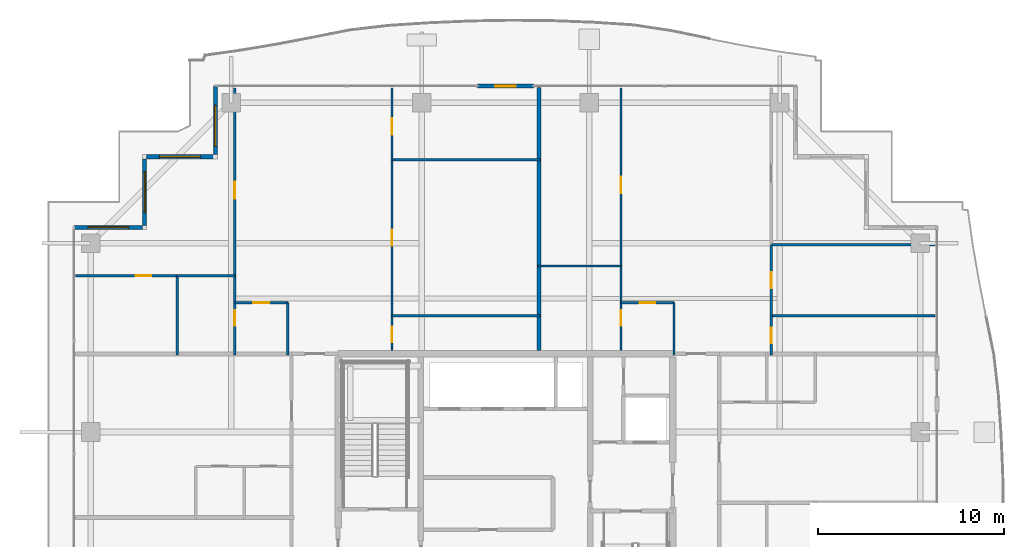
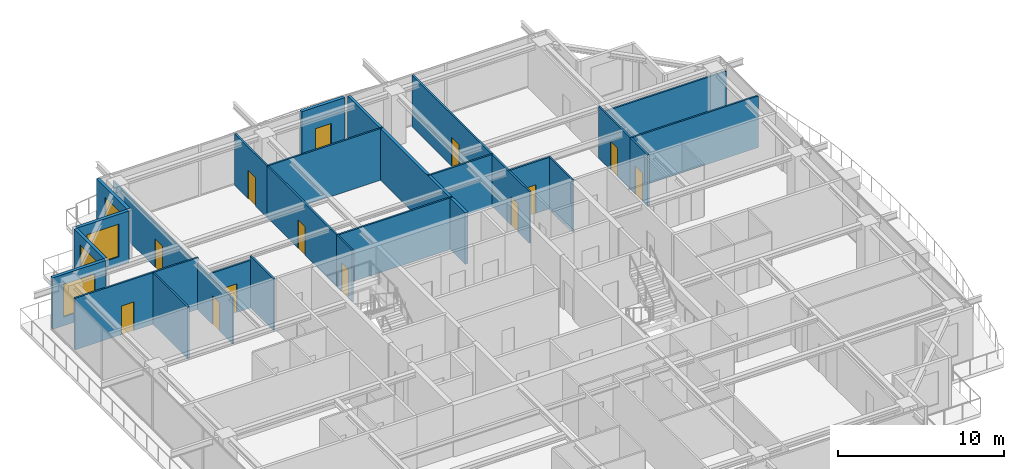
# One storey, part 31 of 39: 27 walls, 13 doors, 4 windows, 17 openings.
"""IFC4 building model written with IfcOpenShell, lengths in metres."""

from ifc_helpers import new_model, si_unit, direction, frame, frame_2d, origin, place, context, subcontext, project, spatial, rectangle, extrude, source, transform, mapped, material, layer, layer_set, type_object, element, fill, save


model = new_model("IFC4")

# Units and contexts
model_context = context("Model", 3, precision=1e-05, world=origin(), true_north=direction((0.0, 1.0)))
body_context = subcontext(model_context, "Body", "Model", "MODEL_VIEW")
ifc_project = project(units=[si_unit("LENGTHUNIT", "METRE"), si_unit("AREAUNIT", "SQUARE_METRE"), si_unit("VOLUMEUNIT", "CUBIC_METRE"), si_unit("PLANEANGLEUNIT", "RADIAN"), si_unit("MASSUNIT", "GRAM", prefix="KILO")], contexts=[model_context])

# Site, building, storey
site_placement = place(None, origin())
site = spatial("IfcSite", under=ifc_project, at=site_placement, CompositionType="ELEMENT")
building_placement = place(site_placement, origin())
building = spatial("IfcBuilding", under=site, at=building_placement, Name="Serunith Strait Residences", CompositionType="ELEMENT")
storey_placement = place(building_placement, frame((0.0, 0.0, 329.89990234375)))
storey = spatial("IfcBuildingStorey", under=building, at=storey_placement, Name="L82", CompositionType="ELEMENT", Elevation=329.89990234375)

# Wall, opening, door
ifc_material_1 = material(Name="Pale-Champagne Aluminium Insulated Panel", Category="aluminium")
ifc_layer_1 = layer(ifc_material_1, 0.219970703125, Name="Pale-Champagne Aluminium Insulated Panel")
ifc_layer_set_1 = layer_set([ifc_layer_1], Name="Pale-Champagne Aluminium Insulated Panel")
wall_type_1 = type_object("IfcWallType", Name="EW-ALUM-220", PredefinedType="ELEMENTEDWALL", material=ifc_layer_set_1)
wall_1_placement = place(storey_placement, frame((33.89990234375, 48.0, 0.0), z_axis=(0.0, 0.0, 1.0), x_axis=(-1.0, 0.0, 0.0)))
wall_1 = element("IfcWall", 1, at=wall_1_placement, inside=storey, type_object=wall_type_1, Name="L82 N Facade Pier Wall", PredefinedType="ELEMENTEDWALL", context=body_context, shape_type="SweptSolid", body=[
    extrude(rectangle(XDim=3.0, YDim=0.219970703125, at=frame_2d((1.5, 0.0))), origin(), (0.0, 0.0, 1.0), 3.775146484375),
])
opening_1_placement = place(wall_1_placement, frame((0.949951171875, 0.0, 0.0)))
opening_1 = element("IfcOpeningElement", 2, at=opening_1_placement, cuts=wall_1, Name="Opening ED-03", PredefinedType="OPENING", context=body_context, shape_type="SweptSolid", body=[
    extrude(rectangle(XDim=1.10009765625, YDim=2.199951171875, at=frame_2d((0.550048828125, 1.10009765625))), frame((0.0, 0.1201171875, 0.0), z_axis=(0.0, -1.0, 0.0), x_axis=(1.0, 0.0, 0.0)), (0.0, 0.0, 1.0), 0.239990234375),
])
ifc_material_2 = material(Name="Thermally-Broken Aluminium Glazed Balcony Door", Category="aluminium")
door_type_1 = type_object("IfcDoorType", Name="ED-BALC-1100", OperationType="NOTDEFINED", PredefinedType="DOOR", material=ifc_material_2)
shared_shape_1 = source(origin(), body_context, "Body", "SweptSolid", [
    extrude(rectangle(XDim=1.10009765625, YDim=2.199951171875, at=frame_2d((0.550048828125, 1.10009765625))), frame((0.0, 0.02490234375, 0.0), z_axis=(0.0, -1.0, 0.0), x_axis=(1.0, 0.0, 0.0)), (0.0, 0.0, 1.0), 0.050048828125),
])
door_1_placement = place(opening_1_placement, origin())
door_1 = element("IfcDoor", 3, at=door_1_placement, inside=storey, type_object=door_type_1, Name="L82 N Vertical-Forest Balcony Door", OperationType="SINGLE_SWING_RIGHT", OverallHeight=2.199951171875, OverallWidth=1.10009765625, PredefinedType="DOOR", context=body_context, shape_type="MappedRepresentation", body=[
    mapped(shared_shape_1, transform((0.0, 0.0, 0.0), scale=1.0)),
])
fill(opening_1, door_1)

# Wall, opening, window
wall_2_placement = place(storey_placement, frame((16.800048828125, 48.0, 0.0), z_axis=(0.0, 0.0, 1.0), x_axis=(0.0, -1.0, 0.0)))
wall_2 = element("IfcWall", 4, at=wall_2_placement, inside=storey, type_object=wall_type_1, Name="L82 Girih Serrated Corner Wall 12", PredefinedType="ELEMENTEDWALL", context=body_context, shape_type="SweptSolid", body=[
    extrude(rectangle(XDim=3.68994140625, YDim=0.219970703125, at=frame_2d((1.844970703125, 0.0))), origin(), (0.0, 0.0, 1.0), 3.775146484375),
])
opening_2_placement = place(wall_2_placement, frame((1.04296875, 0.0, 0.64990234375)))
opening_2 = element("IfcOpeningElement", 5, at=opening_2_placement, cuts=wall_2, Name="Opening W-06", PredefinedType="OPENING", context=body_context, shape_type="SweptSolid", body=[
    extrude(rectangle(XDim=2.199951171875, YDim=2.39990234375, at=frame_2d((1.10009765625, 1.199951171875))), frame((0.0, 0.1201171875, 0.0), z_axis=(0.0, -1.0, 0.0), x_axis=(1.0, 0.0, 0.0)), (0.0, 0.0, 1.0), 0.239990234375),
])
ifc_material_3 = material(Name="Crown Penthouse Low-E Operable Window Glass", Category="glass")
window_type = type_object("IfcWindowType", Name="WIN-C6", PartitioningType="TRIPLE_PANEL_VERTICAL", PredefinedType="WINDOW", material=ifc_material_3)
shared_shape_2 = source(origin(), body_context, "Body", "SweptSolid", [
    extrude(rectangle(XDim=2.199951171875, YDim=2.39990234375, at=frame_2d((1.10009765625, 1.199951171875))), frame((0.0, 0.030029296875, 0.0), z_axis=(0.0, -1.0, 0.0), x_axis=(1.0, 0.0, 0.0)), (0.0, 0.0, 1.0), 0.06005859375),
])
window_1_placement = place(opening_2_placement, origin())
window_1 = element("IfcWindow", 6, at=window_1_placement, inside=storey, type_object=window_type, Name="L82 Corner Operable Fritted Window 12", OverallHeight=2.39990234375, OverallWidth=2.199951171875, PartitioningType="SINGLE_PANEL", PredefinedType="WINDOW", context=body_context, shape_type="MappedRepresentation", body=[
    mapped(shared_shape_2, transform((0.0, 0.0, 0.0), scale=1.0)),
])
fill(opening_2, window_1)

wall_3_placement = place(storey_placement, frame((16.68994140625, 44.199951171875, 0.0), z_axis=(0.0, 0.0, 1.0), x_axis=(-1.0, 0.0, 0.0)))
wall_3 = element("IfcWall", 7, at=wall_3_placement, inside=storey, type_object=wall_type_1, Name="L82 Girih Serrated Corner Wall 13", PredefinedType="ELEMENTEDWALL", context=body_context, shape_type="SweptSolid", body=[
    extrude(rectangle(XDim=3.579833984375, YDim=0.219970703125, at=frame_2d((1.7900390625, 0.0))), origin(), (0.0, 0.0, 1.0), 3.775146484375),
])
opening_3_placement = place(wall_3_placement, frame((0.68994140625, 0.0, 0.64990234375)))
opening_3 = element("IfcOpeningElement", 8, at=opening_3_placement, cuts=wall_3, Name="Opening W-06", PredefinedType="OPENING", context=body_context, shape_type="SweptSolid", body=[
    extrude(rectangle(XDim=2.199951171875, YDim=2.39990234375, at=frame_2d((1.10009765625, 1.199951171875))), frame((0.0, 0.1201171875, 0.0), z_axis=(0.0, -1.0, 0.0), x_axis=(1.0, 0.0, 0.0)), (0.0, 0.0, 1.0), 0.239990234375),
])
window_2_placement = place(opening_3_placement, origin())
window_2 = element("IfcWindow", 9, at=window_2_placement, inside=storey, type_object=window_type, Name="L82 Corner Operable Fritted Window 13", OverallHeight=2.39990234375, OverallWidth=2.199951171875, PartitioningType="SINGLE_PANEL", PredefinedType="WINDOW", context=body_context, shape_type="MappedRepresentation", body=[
    mapped(shared_shape_2, transform((0.0, 0.0, 0.0), scale=1.0)),
])
fill(opening_3, window_2)

wall_4_placement = place(storey_placement, frame((13.0, 44.090087890625, 0.0), z_axis=(0.0, 0.0, 1.0), x_axis=(0.0, -1.0, 0.0)))
wall_4 = element("IfcWall", 10, at=wall_4_placement, inside=storey, type_object=wall_type_1, Name="L82 Girih Serrated Corner Wall 14", PredefinedType="ELEMENTEDWALL", context=body_context, shape_type="SweptSolid", body=[
    extrude(rectangle(XDim=3.580078125, YDim=0.219970703125, at=frame_2d((1.7900390625, 0.0))), origin(), (0.0, 0.0, 1.0), 3.775146484375),
])
opening_4_placement = place(wall_4_placement, frame((0.68994140625, 0.0, 0.64990234375)))
opening_4 = element("IfcOpeningElement", 11, at=opening_4_placement, cuts=wall_4, Name="Opening W-06", PredefinedType="OPENING", context=body_context, shape_type="SweptSolid", body=[
    extrude(rectangle(XDim=2.199951171875, YDim=2.39990234375, at=frame_2d((1.10009765625, 1.199951171875))), frame((0.0, 0.1201171875, 0.0), z_axis=(0.0, -1.0, 0.0), x_axis=(1.0, 0.0, 0.0)), (0.0, 0.0, 1.0), 0.239990234375),
])
window_3_placement = place(opening_4_placement, origin())
window_3 = element("IfcWindow", 12, at=window_3_placement, inside=storey, type_object=window_type, Name="L82 Corner Operable Fritted Window 14", OverallHeight=2.39990234375, OverallWidth=2.199951171875, PartitioningType="SINGLE_PANEL", PredefinedType="WINDOW", context=body_context, shape_type="MappedRepresentation", body=[
    mapped(shared_shape_2, transform((0.0, 0.0, 0.0), scale=1.0)),
])
fill(opening_4, window_3)

wall_5_placement = place(storey_placement, frame((12.889892578125, 40.39990234375, 0.0), z_axis=(0.0, 0.0, 1.0), x_axis=(-1.0, 0.0, 0.0)))
wall_5 = element("IfcWall", 13, at=wall_5_placement, inside=storey, type_object=wall_type_1, Name="L82 Girih Serrated Corner Wall 15", PredefinedType="ELEMENTEDWALL", context=body_context, shape_type="SweptSolid", body=[
    extrude(rectangle(XDim=3.68994140625, YDim=0.219970703125, at=frame_2d((1.844970703125, 0.0))), origin(), (0.0, 0.0, 1.0), 3.775146484375),
])
opening_5_placement = place(wall_5_placement, frame((0.7451171875, 0.0, 0.64990234375)))
opening_5 = element("IfcOpeningElement", 14, at=opening_5_placement, cuts=wall_5, Name="Opening W-06", PredefinedType="OPENING", context=body_context, shape_type="SweptSolid", body=[
    extrude(rectangle(XDim=2.199951171875, YDim=2.39990234375, at=frame_2d((1.10009765625, 1.199951171875))), frame((0.0, 0.1201171875, 0.0), z_axis=(0.0, -1.0, 0.0), x_axis=(1.0, 0.0, 0.0)), (0.0, 0.0, 1.0), 0.239990234375),
])
window_4_placement = place(opening_5_placement, origin())
window_4 = element("IfcWindow", 15, at=window_4_placement, inside=storey, type_object=window_type, Name="L82 Corner Operable Fritted Window 15", OverallHeight=2.39990234375, OverallWidth=2.199951171875, PartitioningType="SINGLE_PANEL", PredefinedType="WINDOW", context=body_context, shape_type="MappedRepresentation", body=[
    mapped(shared_shape_2, transform((0.0, 0.0, 0.0), scale=1.0)),
])
fill(opening_5, window_4)

# Wall, opening, door
ifc_material_4 = material(Name="Lightweight steel-stud gypsum partition", Category="steel")
ifc_layer_2 = layer(ifc_material_4, 0.1201171875, Name="Lightweight steel-stud gypsum partition")
ifc_layer_set_2 = layer_set([ifc_layer_2], Name="Lightweight steel-stud gypsum partition")
wall_type_2 = type_object("IfcWallType", Name="IW-PART-120", PredefinedType="PARTITIONING", material=ifc_layer_set_2)
wall_6_placement = place(storey_placement, frame((17.85009765625, 36.35009765625, 0.0), z_axis=(0.0, 0.0, 1.0), x_axis=(1.0, 0.0, 0.0)))
wall_6 = element("IfcWall", 16, at=wall_6_placement, inside=storey, type_object=wall_type_2, Name="L82 Partition Wall 053", PredefinedType="PARTITIONING", context=body_context, shape_type="SweptSolid", body=[
    extrude(rectangle(XDim=2.849853515625, YDim=0.1201171875, at=frame_2d((1.4248046875, 0.0))), origin(), (0.0, 0.0, 1.0), 3.4921875),
])
opening_6_placement = place(wall_6_placement, frame((1.0, 0.0, 0.0)))
opening_6 = element("IfcOpeningElement", 17, at=opening_6_placement, cuts=wall_6, Name="Opening D-RM850", PredefinedType="OPENING", context=body_context, shape_type="SweptSolid", body=[
    extrude(rectangle(XDim=0.85009765625, YDim=2.10009765625, at=frame_2d((0.425048828125, 1.050048828125))), frame((0.0, 0.070068359375, 0.0), z_axis=(0.0, -1.0, 0.0), x_axis=(1.0, 0.0, 0.0)), (0.0, 0.0, 1.0), 0.14013671875),
])
ifc_material_5 = material(Name="Engineered timber flush study and kitchen door", Category="wood")
door_type_2 = type_object("IfcDoorType", Name="ID-ROOM-850", OperationType="NOTDEFINED", PredefinedType="DOOR", material=ifc_material_5)
shared_shape_3 = source(origin(), body_context, "Body", "SweptSolid", [
    extrude(rectangle(XDim=0.85009765625, YDim=2.10009765625, at=frame_2d((0.425048828125, 1.050048828125))), frame((0.0, 0.02490234375, 0.0), z_axis=(0.0, -1.0, 0.0), x_axis=(1.0, 0.0, 0.0)), (0.0, 0.0, 1.0), 0.050048828125),
])
door_2_placement = place(opening_6_placement, origin())
door_2 = element("IfcDoor", 18, at=door_2_placement, inside=storey, type_object=door_type_2, Name="L82 Kitchen 8202 Door", OperationType="SINGLE_SWING_LEFT", OverallHeight=2.10009765625, OverallWidth=0.85009765625, PredefinedType="DOOR", context=body_context, shape_type="MappedRepresentation", body=[
    mapped(shared_shape_3, transform((0.0, 0.0, 0.0), scale=1.0)),
])
fill(opening_6, door_2)

# Wall
wall_7_placement = place(storey_placement, frame((20.699951171875, 36.35009765625, 0.0), z_axis=(0.0, 0.0, 1.0), x_axis=(0.0, -1.0, 0.0)))
element("IfcWall", 19, at=wall_7_placement, inside=storey, type_object=wall_type_2, Name="L82 Partition Wall 054", PredefinedType="PARTITIONING", context=body_context, shape_type="SweptSolid", body=[
    extrude(rectangle(XDim=2.81005859375, YDim=0.1201171875, at=frame_2d((1.405029296875, 0.0))), origin(), (0.0, 0.0, 1.0), 3.7900390625),
])

# Wall, opening, door
wall_8_placement = place(storey_placement, frame((17.85009765625, 47.905029296875, 0.0), z_axis=(0.0, 0.0, 1.0), x_axis=(0.0, -1.0, 0.0)))
wall_8 = element("IfcWall", 20, at=wall_8_placement, inside=storey, type_object=wall_type_2, Name="L82 Partition Wall 055", PredefinedType="PARTITIONING", context=body_context, shape_type="SweptSolid", body=[
    extrude(rectangle(XDim=10.09814453125, YDim=0.1201171875, at=frame_2d((5.049072265625, 0.0))), origin(), (0.0, 0.0, 1.0), 3.2919921875),
])
opening_7_placement = place(wall_8_placement, frame((5.05908203125, 0.0, 0.0)))
opening_7 = element("IfcOpeningElement", 21, at=opening_7_placement, cuts=wall_8, Name="Opening D-RM900", PredefinedType="OPENING", context=body_context, shape_type="SweptSolid", body=[
    extrude(rectangle(XDim=0.89990234375, YDim=2.10009765625, at=frame_2d((0.449951171875, 1.050048828125))), frame((0.0, 0.070068359375, 0.0), z_axis=(0.0, -1.0, 0.0), x_axis=(1.0, 0.0, 0.0)), (0.0, 0.0, 1.0), 0.14013671875),
])
ifc_material_6 = material(Name="Engineered timber flush bedroom door", Category="wood")
door_type_3 = type_object("IfcDoorType", Name="ID-ROOM-900", OperationType="NOTDEFINED", PredefinedType="DOOR", material=ifc_material_6)
shared_shape_4 = source(origin(), body_context, "Body", "SweptSolid", [
    extrude(rectangle(XDim=0.89990234375, YDim=2.10009765625, at=frame_2d((0.449951171875, 1.050048828125))), frame((0.0, 0.02490234375, 0.0), z_axis=(0.0, -1.0, 0.0), x_axis=(1.0, 0.0, 0.0)), (0.0, 0.0, 1.0), 0.050048828125),
])
door_3_placement = place(opening_7_placement, origin())
door_3 = element("IfcDoor", 22, at=door_3_placement, inside=storey, type_object=door_type_3, Name="L82 Master Bedroom 1 8202 Door", OperationType="SINGLE_SWING_RIGHT", OverallHeight=2.10009765625, OverallWidth=0.89990234375, PredefinedType="DOOR", context=body_context, shape_type="MappedRepresentation", body=[
    mapped(shared_shape_4, transform((0.0, 0.0, 0.0), scale=1.0)),
])
fill(opening_7, door_3)

wall_9_placement = place(storey_placement, frame((9.294921875, 37.806884765625, 0.0), z_axis=(0.0, 0.0, 1.0), x_axis=(1.0, 0.0, 0.0)))
wall_9 = element("IfcWall", 23, at=wall_9_placement, inside=storey, type_object=wall_type_2, Name="L82 Partition Wall 056", PredefinedType="PARTITIONING", context=body_context, shape_type="SweptSolid", body=[
    extrude(rectangle(XDim=5.455078125, YDim=0.1201171875, at=frame_2d((2.7275390625, 0.0))), origin(), (0.0, 0.0, 1.0), 3.7900390625),
])
opening_8_placement = place(wall_9_placement, frame((3.22412109375, 0.0, 0.0)))
opening_8 = element("IfcOpeningElement", 24, at=opening_8_placement, cuts=wall_9, Name="Opening D-RM850", PredefinedType="OPENING", context=body_context, shape_type="SweptSolid", body=[
    extrude(rectangle(XDim=0.85009765625, YDim=2.10009765625, at=frame_2d((0.425048828125, 1.050048828125))), frame((0.0, 0.070068359375, 0.0), z_axis=(0.0, -1.0, 0.0), x_axis=(1.0, 0.0, 0.0)), (0.0, 0.0, 1.0), 0.14013671875),
])
door_4_placement = place(opening_8_placement, origin())
door_4 = element("IfcDoor", 25, at=door_4_placement, inside=storey, type_object=door_type_2, Name="L82 Wardrobe 8202 Door", OperationType="SINGLE_SWING_LEFT", OverallHeight=2.10009765625, OverallWidth=0.85009765625, PredefinedType="DOOR", context=body_context, shape_type="MappedRepresentation", body=[
    mapped(shared_shape_3, transform((0.0, 0.0, 0.0), scale=1.0)),
])
fill(opening_8, door_4)

# Walls
wall_10_placement = place(storey_placement, frame((14.751953125, 37.806884765625, 0.0), z_axis=(0.0, 0.0, 1.0), x_axis=(1.0, 0.0, 0.0)))
element("IfcWall", 26, at=wall_10_placement, inside=storey, type_object=wall_type_2, Name="L82 Partition Wall 057", PredefinedType="PARTITIONING", context=body_context, shape_type="SweptSolid", body=[
    extrude(rectangle(XDim=3.09814453125, YDim=0.1201171875, at=frame_2d((1.549072265625, 0.0))), origin(), (0.0, 0.0, 1.0), 3.7900390625),
])
wall_11_placement = place(storey_placement, frame((14.75, 37.806884765625, 0.0), z_axis=(0.0, 0.0, 1.0), x_axis=(0.0, -1.0, 0.0)))
element("IfcWall", 27, at=wall_11_placement, inside=storey, type_object=wall_type_2, Name="L82 Partition Wall 058", PredefinedType="PARTITIONING", context=body_context, shape_type="SweptSolid", body=[
    extrude(rectangle(XDim=4.266845703125, YDim=0.1201171875, at=frame_2d((2.13330078125, 0.0))), origin(), (0.0, 0.0, 1.0), 3.7900390625),
])

# Wall, opening, door
wall_12_placement = place(storey_placement, frame((17.85009765625, 37.804931640625, 0.0), z_axis=(0.0, 0.0, 1.0), x_axis=(0.0, -1.0, 0.0)))
wall_12 = element("IfcWall", 28, at=wall_12_placement, inside=storey, type_object=wall_type_2, Name="L82 Partition Wall 059", PredefinedType="PARTITIONING", context=body_context, shape_type="SweptSolid", body=[
    extrude(rectangle(XDim=4.264892578125, YDim=0.1201171875, at=frame_2d((2.13232421875, 0.0))), origin(), (0.0, 0.0, 1.0), 3.3720703125),
])
opening_9_placement = place(wall_12_placement, frame((1.847900390625, 0.0, 0.0)))
opening_9 = element("IfcOpeningElement", 29, at=opening_9_placement, cuts=wall_12, Name="Opening D-BTH850", PredefinedType="OPENING", context=body_context, shape_type="SweptSolid", body=[
    extrude(rectangle(XDim=0.85009765625, YDim=2.10009765625, at=frame_2d((0.425048828125, 1.050048828125))), frame((0.0, 0.070068359375, 0.0), z_axis=(0.0, -1.0, 0.0), x_axis=(1.0, 0.0, 0.0)), (0.0, 0.0, 1.0), 0.14013671875),
])
ifc_material_7 = material(Name="Moisture-resistant timber bathroom door", Category="wood")
door_type_4 = type_object("IfcDoorType", Name="ID-BATH-850", OperationType="NOTDEFINED", PredefinedType="DOOR", material=ifc_material_7)
door_5_placement = place(opening_9_placement, origin())
door_5 = element("IfcDoor", 30, at=door_5_placement, inside=storey, type_object=door_type_4, Name="L82 Bathroom 8202 Door", OperationType="SINGLE_SWING_RIGHT", OverallHeight=2.10009765625, OverallWidth=0.85009765625, PredefinedType="DOOR", context=body_context, shape_type="MappedRepresentation", body=[
    mapped(shared_shape_3, transform((0.0, 0.0, 0.0), scale=1.0)),
])
fill(opening_9, door_5)

wall_13_placement = place(storey_placement, frame((26.300048828125, 47.905029296875, 0.0), z_axis=(0.0, 0.0, 1.0), x_axis=(0.0, -1.0, 0.0)))
wall_13 = element("IfcWall", 31, at=wall_13_placement, inside=storey, type_object=wall_type_2, Name="L82 Partition Wall 060", PredefinedType="PARTITIONING", context=body_context, shape_type="SweptSolid", body=[
    extrude(rectangle(XDim=3.866943359375, YDim=0.1201171875, at=frame_2d((1.93359375, 0.0))), origin(), (0.0, 0.0, 1.0), 3.7900390625),
])
opening_10_placement = place(wall_13_placement, frame((1.632080078125, 0.0, 0.0)))
opening_10 = element("IfcOpeningElement", 32, at=opening_10_placement, cuts=wall_13, Name="Opening D-RM900", PredefinedType="OPENING", context=body_context, shape_type="SweptSolid", body=[
    extrude(rectangle(XDim=0.89990234375, YDim=2.10009765625, at=frame_2d((0.449951171875, 1.050048828125))), frame((0.0, 0.070068359375, 0.0), z_axis=(0.0, -1.0, 0.0), x_axis=(1.0, 0.0, 0.0)), (0.0, 0.0, 1.0), 0.14013671875),
])
door_6_placement = place(opening_10_placement, origin())
door_6 = element("IfcDoor", 33, at=door_6_placement, inside=storey, type_object=door_type_3, Name="L82 Bedroom 2 8202 Door", OperationType="SINGLE_SWING_LEFT", OverallHeight=2.10009765625, OverallWidth=0.89990234375, PredefinedType="DOOR", context=body_context, shape_type="MappedRepresentation", body=[
    mapped(shared_shape_4, transform((0.0, 0.0, 0.0), scale=1.0)),
])
fill(opening_10, door_6)

# Walls
for number, where, z_axis, x_axis, name in (
    (34, (26.300048828125, 44.0380859375, 0.0), (0.0, 0.0, 1.0), (1.0, 0.0, 0.0), "L82 Partition Wall 061"),
    (35, (26.300048828125, 35.64990234375, 0.0), (0.0, 0.0, 1.0), (1.0, 0.0, 0.0), "L82 Partition Wall 062"),
):
    element("IfcWall", number, at=place(storey_placement, frame(where, z_axis=z_axis, x_axis=x_axis)), inside=storey, type_object=wall_type_2, Name=name, PredefinedType="PARTITIONING", context=body_context, shape_type="SweptSolid", body=[
        extrude(rectangle(XDim=7.9599609375, YDim=0.1201171875, at=frame_2d((3.97998046875, 0.0))), origin(), (0.0, 0.0, 1.0), 3.7900390625),
    ])

# Wall, opening, door
wall_14_placement = place(storey_placement, frame((26.300048828125, 44.035888671875, 0.0), z_axis=(0.0, 0.0, 1.0), x_axis=(0.0, -1.0, 0.0)))
wall_14 = element("IfcWall", 36, at=wall_14_placement, inside=storey, type_object=wall_type_2, Name="L82 Partition Wall 063", PredefinedType="PARTITIONING", context=body_context, shape_type="SweptSolid", body=[
    extrude(rectangle(XDim=8.385986328125, YDim=0.1201171875, at=frame_2d((4.19287109375, 0.0))), origin(), (0.0, 0.0, 1.0), 3.7900390625),
])
opening_11_placement = place(wall_14_placement, frame((3.76806640625, 0.0, 0.0)))
opening_11 = element("IfcOpeningElement", 37, at=opening_11_placement, cuts=wall_14, Name="Opening D-RM850", PredefinedType="OPENING", context=body_context, shape_type="SweptSolid", body=[
    extrude(rectangle(XDim=0.85009765625, YDim=2.10009765625, at=frame_2d((0.425048828125, 1.050048828125))), frame((0.0, 0.070068359375, 0.0), z_axis=(0.0, -1.0, 0.0), x_axis=(1.0, 0.0, 0.0)), (0.0, 0.0, 1.0), 0.14013671875),
])
door_7_placement = place(opening_11_placement, origin())
door_7 = element("IfcDoor", 38, at=door_7_placement, inside=storey, type_object=door_type_2, Name="L82 Walk-in Wardrobe 8202 Door", OperationType="SINGLE_SWING_RIGHT", OverallHeight=2.10009765625, OverallWidth=0.85009765625, PredefinedType="DOOR", context=body_context, shape_type="MappedRepresentation", body=[
    mapped(shared_shape_3, transform((0.0, 0.0, 0.0), scale=1.0)),
])
fill(opening_11, door_7)

wall_15_placement = place(storey_placement, frame((26.300048828125, 35.64794921875, 0.0), z_axis=(0.0, 0.0, 1.0), x_axis=(0.0, -1.0, 0.0)))
wall_15 = element("IfcWall", 39, at=wall_15_placement, inside=storey, type_object=wall_type_2, Name="L82 Partition Wall 064", PredefinedType="PARTITIONING", context=body_context, shape_type="SweptSolid", body=[
    extrude(rectangle(XDim=1.873046875, YDim=0.1201171875, at=frame_2d((0.9365234375, 0.0))), origin(), (0.0, 0.0, 1.0), 3.7900390625),
])
opening_12_placement = place(wall_15_placement, frame((0.574951171875, 0.0, 0.0)))
opening_12 = element("IfcOpeningElement", 40, at=opening_12_placement, cuts=wall_15, Name="Opening D-BTH850", PredefinedType="OPENING", context=body_context, shape_type="SweptSolid", body=[
    extrude(rectangle(XDim=0.85009765625, YDim=2.10009765625, at=frame_2d((0.425048828125, 1.050048828125))), frame((0.0, 0.070068359375, 0.0), z_axis=(0.0, -1.0, 0.0), x_axis=(1.0, 0.0, 0.0)), (0.0, 0.0, 1.0), 0.14013671875),
])
door_8_placement = place(opening_12_placement, origin())
door_8 = element("IfcDoor", 41, at=door_8_placement, inside=storey, type_object=door_type_4, Name="L82 Bathroom 8202 Door", OperationType="SINGLE_SWING_LEFT", OverallHeight=2.10009765625, OverallWidth=0.85009765625, PredefinedType="DOOR", context=body_context, shape_type="MappedRepresentation", body=[
    mapped(shared_shape_3, transform((0.0, 0.0, 0.0), scale=1.0)),
])
fill(opening_12, door_8)

wall_16_placement = place(storey_placement, frame((38.610107421875, 36.35009765625, 0.0), z_axis=(0.0, 0.0, 1.0), x_axis=(1.0, 0.0, 0.0)))
wall_16 = element("IfcWall", 42, at=wall_16_placement, inside=storey, type_object=wall_type_2, Name="L82 Partition Wall 065", PredefinedType="PARTITIONING", context=body_context, shape_type="SweptSolid", body=[
    extrude(rectangle(XDim=2.849853515625, YDim=0.1201171875, at=frame_2d((1.4248046875, 0.0))), origin(), (0.0, 0.0, 1.0), 3.7900390625),
])
opening_13_placement = place(wall_16_placement, frame((1.0, 0.0, 0.0)))
opening_13 = element("IfcOpeningElement", 43, at=opening_13_placement, cuts=wall_16, Name="Opening D-RM850", PredefinedType="OPENING", context=body_context, shape_type="SweptSolid", body=[
    extrude(rectangle(XDim=0.85009765625, YDim=2.10009765625, at=frame_2d((0.425048828125, 1.050048828125))), frame((0.0, 0.070068359375, 0.0), z_axis=(0.0, -1.0, 0.0), x_axis=(1.0, 0.0, 0.0)), (0.0, 0.0, 1.0), 0.14013671875),
])
door_9_placement = place(opening_13_placement, origin())
door_9 = element("IfcDoor", 44, at=door_9_placement, inside=storey, type_object=door_type_2, Name="L82 Kitchen 8203 Door", OperationType="SINGLE_SWING_RIGHT", OverallHeight=2.10009765625, OverallWidth=0.85009765625, PredefinedType="DOOR", context=body_context, shape_type="MappedRepresentation", body=[
    mapped(shared_shape_3, transform((0.0, 0.0, 0.0), scale=1.0)),
])
fill(opening_13, door_9)

# Wall
wall_17_placement = place(storey_placement, frame((41.4599609375, 36.35009765625, 0.0), z_axis=(0.0, 0.0, 1.0), x_axis=(0.0, -1.0, 0.0)))
element("IfcWall", 45, at=wall_17_placement, inside=storey, type_object=wall_type_2, Name="L82 Partition Wall 066", PredefinedType="PARTITIONING", context=body_context, shape_type="SweptSolid", body=[
    extrude(rectangle(XDim=2.81005859375, YDim=0.1201171875, at=frame_2d((1.405029296875, 0.0))), origin(), (0.0, 0.0, 1.0), 3.7900390625),
])

# Wall, opening, door
wall_18_placement = place(storey_placement, frame((38.610107421875, 47.905029296875, 0.0), z_axis=(0.0, 0.0, 1.0), x_axis=(0.0, -1.0, 0.0)))
wall_18 = element("IfcWall", 46, at=wall_18_placement, inside=storey, type_object=wall_type_2, Name="L82 Partition Wall 067", PredefinedType="PARTITIONING", context=body_context, shape_type="SweptSolid", body=[
    extrude(rectangle(XDim=9.5791015625, YDim=0.1201171875, at=frame_2d((4.78955078125, 0.0))), origin(), (0.0, 0.0, 1.0), 3.7900390625),
])
opening_14_placement = place(wall_18_placement, frame((4.77294921875, 0.0, 0.0)))
opening_14 = element("IfcOpeningElement", 47, at=opening_14_placement, cuts=wall_18, Name="Opening D-RM900", PredefinedType="OPENING", context=body_context, shape_type="SweptSolid", body=[
    extrude(rectangle(XDim=0.89990234375, YDim=2.10009765625, at=frame_2d((0.449951171875, 1.050048828125))), frame((0.0, 0.070068359375, 0.0), z_axis=(0.0, -1.0, 0.0), x_axis=(1.0, 0.0, 0.0)), (0.0, 0.0, 1.0), 0.14013671875),
])
door_10_placement = place(opening_14_placement, origin())
door_10 = element("IfcDoor", 48, at=door_10_placement, inside=storey, type_object=door_type_3, Name="L82 Master Bedroom 1 8203 Door", OperationType="SINGLE_SWING_LEFT", OverallHeight=2.10009765625, OverallWidth=0.89990234375, PredefinedType="DOOR", context=body_context, shape_type="MappedRepresentation", body=[
    mapped(shared_shape_4, transform((0.0, 0.0, 0.0), scale=1.0)),
])
fill(opening_14, door_10)

# Wall
wall_19_placement = place(storey_placement, frame((34.139892578125, 38.325927734375, 0.0), z_axis=(0.0, 0.0, 1.0), x_axis=(1.0, 0.0, 0.0)))
element("IfcWall", 49, at=wall_19_placement, inside=storey, type_object=wall_type_2, Name="L82 Partition Wall 068", PredefinedType="PARTITIONING", context=body_context, shape_type="SweptSolid", body=[
    extrude(rectangle(XDim=4.47021484375, YDim=0.1201171875, at=frame_2d((2.235107421875, 0.0))), origin(), (0.0, 0.0, 1.0), 3.7900390625),
])

# Wall, opening, door
wall_20_placement = place(storey_placement, frame((38.610107421875, 38.323974609375, 0.0), z_axis=(0.0, 0.0, 1.0), x_axis=(0.0, -1.0, 0.0)))
wall_20 = element("IfcWall", 50, at=wall_20_placement, inside=storey, type_object=wall_type_2, Name="L82 Partition Wall 069", PredefinedType="PARTITIONING", context=body_context, shape_type="SweptSolid", body=[
    extrude(rectangle(XDim=4.549072265625, YDim=0.1201171875, at=frame_2d((2.2744140625, 0.0))), origin(), (0.0, 0.0, 1.0), 3.7900390625),
])
opening_15_placement = place(wall_20_placement, frame((2.364013671875, 0.0, 0.0)))
opening_15 = element("IfcOpeningElement", 51, at=opening_15_placement, cuts=wall_20, Name="Opening D-RM850", PredefinedType="OPENING", context=body_context, shape_type="SweptSolid", body=[
    extrude(rectangle(XDim=0.85009765625, YDim=2.10009765625, at=frame_2d((0.425048828125, 1.050048828125))), frame((0.0, 0.070068359375, 0.0), z_axis=(0.0, -1.0, 0.0), x_axis=(1.0, 0.0, 0.0)), (0.0, 0.0, 1.0), 0.14013671875),
])
door_11_placement = place(opening_15_placement, origin())
door_11 = element("IfcDoor", 52, at=door_11_placement, inside=storey, type_object=door_type_2, Name="L82 Walk-in Wardrobe 8203 Door", OperationType="SINGLE_SWING_RIGHT", OverallHeight=2.10009765625, OverallWidth=0.85009765625, PredefinedType="DOOR", context=body_context, shape_type="MappedRepresentation", body=[
    mapped(shared_shape_3, transform((0.0, 0.0, 0.0), scale=1.0)),
])
fill(opening_15, door_11)

# Walls
wall_21_placement = place(storey_placement, frame((46.68994140625, 39.468994140625, 0.0), z_axis=(0.0, 0.0, 1.0), x_axis=(1.0, 0.0, 0.0)))
element("IfcWall", 53, at=wall_21_placement, inside=storey, type_object=wall_type_2, Name="L82 Partition Wall 071", PredefinedType="PARTITIONING", context=body_context, shape_type="SweptSolid", body=[
    extrude(rectangle(XDim=8.81494140625, YDim=0.1201171875, at=frame_2d((4.407470703125, 0.0))), origin(), (0.0, 0.0, 1.0), 3.2919921875),
])
wall_22_placement = place(storey_placement, frame((46.68994140625, 35.64990234375, 0.0), z_axis=(0.0, 0.0, 1.0), x_axis=(1.0, 0.0, 0.0)))
element("IfcWall", 54, at=wall_22_placement, inside=storey, type_object=wall_type_2, Name="L82 Partition Wall 072", PredefinedType="PARTITIONING", context=body_context, shape_type="SweptSolid", body=[
    extrude(rectangle(XDim=8.81494140625, YDim=0.1201171875, at=frame_2d((4.407470703125, 0.0))), origin(), (0.0, 0.0, 1.0), 3.7900390625),
])

# Wall, opening, door
wall_23_placement = place(storey_placement, frame((46.68994140625, 39.467041015625, 0.0), z_axis=(0.0, 0.0, 1.0), x_axis=(0.0, -1.0, 0.0)))
wall_23 = element("IfcWall", 55, at=wall_23_placement, inside=storey, type_object=wall_type_2, Name="L82 Partition Wall 073", PredefinedType="PARTITIONING", context=body_context, shape_type="SweptSolid", body=[
    extrude(rectangle(XDim=3.817138671875, YDim=0.1201171875, at=frame_2d((1.90869140625, 0.0))), origin(), (0.0, 0.0, 1.0), 3.7900390625),
])
opening_16_placement = place(wall_23_placement, frame((1.48388671875, 0.0, 0.0)))
opening_16 = element("IfcOpeningElement", 56, at=opening_16_placement, cuts=wall_23, Name="Opening D-RM850", PredefinedType="OPENING", context=body_context, shape_type="SweptSolid", body=[
    extrude(rectangle(XDim=0.85009765625, YDim=2.10009765625, at=frame_2d((0.425048828125, 1.050048828125))), frame((0.0, 0.070068359375, 0.0), z_axis=(0.0, -1.0, 0.0), x_axis=(1.0, 0.0, 0.0)), (0.0, 0.0, 1.0), 0.14013671875),
])
door_12_placement = place(opening_16_placement, origin())
door_12 = element("IfcDoor", 57, at=door_12_placement, inside=storey, type_object=door_type_2, Name="L82 Walk-in Wardrobe 8203 Door", OperationType="SINGLE_SWING_RIGHT", OverallHeight=2.10009765625, OverallWidth=0.85009765625, PredefinedType="DOOR", context=body_context, shape_type="MappedRepresentation", body=[
    mapped(shared_shape_3, transform((0.0, 0.0, 0.0), scale=1.0)),
])
fill(opening_16, door_12)

wall_24_placement = place(storey_placement, frame((46.68994140625, 35.64794921875, 0.0), z_axis=(0.0, 0.0, 1.0), x_axis=(0.0, -1.0, 0.0)))
wall_24 = element("IfcWall", 58, at=wall_24_placement, inside=storey, type_object=wall_type_2, Name="L82 Partition Wall 074", PredefinedType="PARTITIONING", context=body_context, shape_type="SweptSolid", body=[
    extrude(rectangle(XDim=2.10791015625, YDim=0.1201171875, at=frame_2d((1.053955078125, 0.0))), origin(), (0.0, 0.0, 1.0), 3.7900390625),
])
opening_17_placement = place(wall_24_placement, frame((0.62890625, 0.0, 0.0)))
opening_17 = element("IfcOpeningElement", 59, at=opening_17_placement, cuts=wall_24, Name="Opening D-BTH850", PredefinedType="OPENING", context=body_context, shape_type="SweptSolid", body=[
    extrude(rectangle(XDim=0.85009765625, YDim=2.10009765625, at=frame_2d((0.425048828125, 1.050048828125))), frame((0.0, 0.070068359375, 0.0), z_axis=(0.0, -1.0, 0.0), x_axis=(1.0, 0.0, 0.0)), (0.0, 0.0, 1.0), 0.14013671875),
])
door_13_placement = place(opening_17_placement, origin())
door_13 = element("IfcDoor", 60, at=door_13_placement, inside=storey, type_object=door_type_4, Name="L82 Bathroom 8203 Door", OperationType="SINGLE_SWING_LEFT", OverallHeight=2.10009765625, OverallWidth=0.85009765625, PredefinedType="DOOR", context=body_context, shape_type="MappedRepresentation", body=[
    mapped(shared_shape_3, transform((0.0, 0.0, 0.0), scale=1.0)),
])
fill(opening_17, door_13)

# Wall
ifc_material_8 = material(Name="Twin-stud acoustic gypsum board partition")
ifc_layer_3 = layer(ifc_material_8, 0.199951171875, Name="Twin-stud acoustic gypsum board partition")
ifc_layer_set_3 = layer_set([ifc_layer_3], Name="Twin-stud acoustic gypsum board partition")
wall_type_3 = type_object("IfcWallType", Name="IW-PARTY-200", PredefinedType="PARTITIONING", material=ifc_layer_set_3)
wall_25_placement = place(storey_placement, frame((34.199951171875, 33.77490234375, 0.0), z_axis=(0.0, 0.0, 1.0), x_axis=(0.0, 1.0, 0.0)))
element("IfcWall", 61, at=wall_25_placement, inside=storey, type_object=wall_type_3, Name="L82 Partition Wall 018", PredefinedType="PARTITIONING", context=body_context, shape_type="SweptSolid", body=[
    extrude(rectangle(XDim=14.14306640625, YDim=0.199951171875, at=frame_2d((7.071533203125, 0.0))), origin(), (0.0, 0.0, 1.0), 3.7900390625),
])

save(model, "model.ifc")
